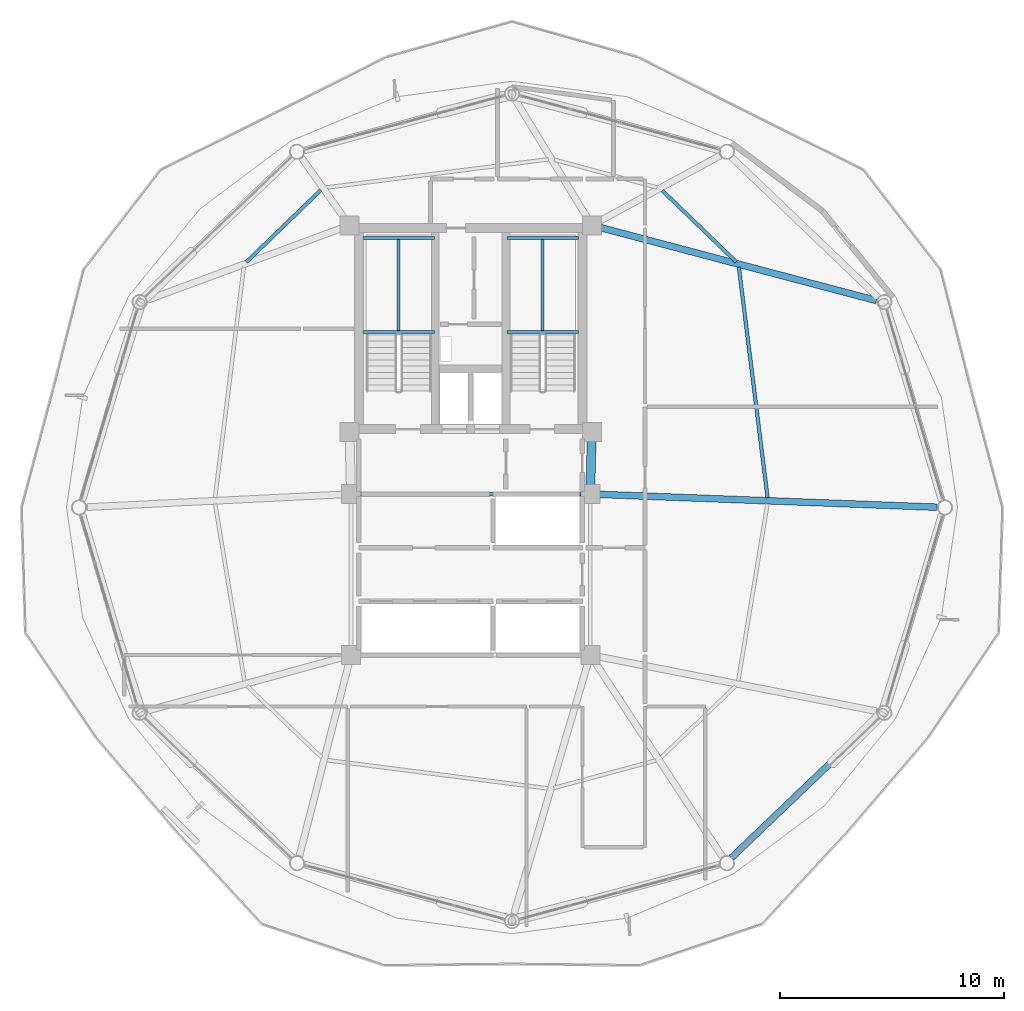
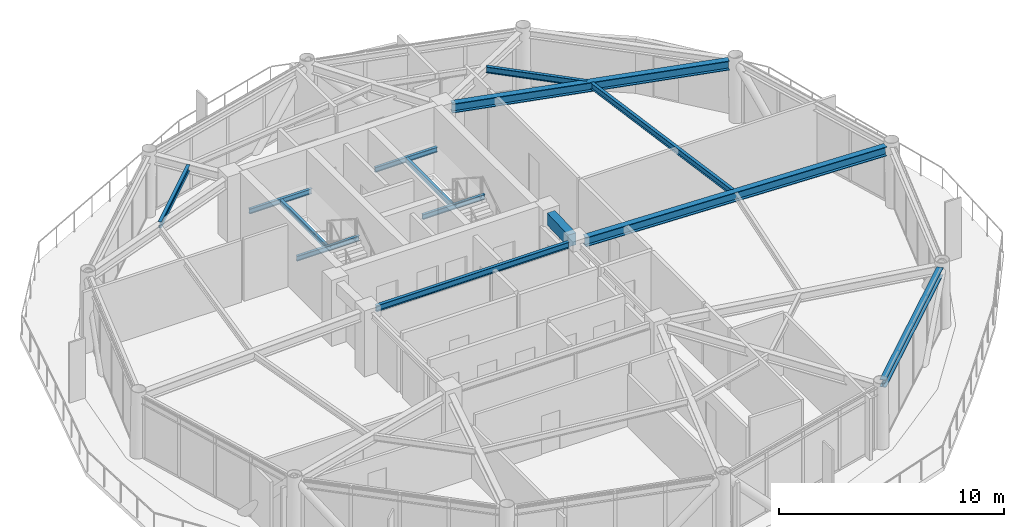
# One storey, part 15 of 28: 14 beams.
"""IFC4 building model written with IfcOpenShell, lengths in metres."""

from ifc_helpers import new_model, si_unit, direction, frame, origin, origin_2d, place, context, subcontext, project, spatial, rectangle, i_section, extrude, material, material_profile, profile_set, type_object, element, save


model = new_model("IFC4")

# Units and contexts
model_context = context("Model", 3, precision=1e-05, world=origin(), true_north=direction((0.0, 1.0)))
body_context = subcontext(model_context, "Body", "Model", "MODEL_VIEW")
ifc_project = project(units=[si_unit("LENGTHUNIT", "METRE"), si_unit("AREAUNIT", "SQUARE_METRE"), si_unit("VOLUMEUNIT", "CUBIC_METRE"), si_unit("PLANEANGLEUNIT", "RADIAN"), si_unit("MASSUNIT", "GRAM", prefix="KILO")], contexts=[model_context])

# Site, building, storey
site_placement = place(None, origin())
site = spatial("IfcSite", under=ifc_project, at=site_placement, CompositionType="ELEMENT")
building_placement = place(site_placement, origin())
building = spatial("IfcBuilding", under=site, at=building_placement, Name="Varnakorn Sky Granary", CompositionType="ELEMENT")
storey_placement = place(building_placement, frame((0.0, 0.0, 200.39990234375)))
storey = spatial("IfcBuildingStorey", under=building, at=storey_placement, Name="L50", CompositionType="ELEMENT", Elevation=200.39990234375)

# Beams
ifc_material_1 = material(Name="Concrete C50/60", Category="concrete")
ifc_material_profile_1 = material_profile(ifc_material_1, rectangle(XDim=0.39990234375, YDim=0.64990234375, at=origin_2d()), Name="RC 400x650")
ifc_profile_set_1 = profile_set([ifc_material_profile_1], Name="Concrete C50/60")
beam_type_1 = type_object("IfcBeamType", Name="BM-LIN-650", PredefinedType="LINTEL", material=ifc_profile_set_1)
beam_1_placement = place(storey_placement, frame((8.409912109375, 2.97509765625, 3.03515625), z_axis=(-0.025270737467, -0.99968064392, 0.0), x_axis=(0.99968064392, -0.025270737467, 0.0)))
element("IfcBeam", 1, at=beam_1_placement, inside=storey, type_object=beam_type_1, Name="Core Spine Framing Beam 2 L50", PredefinedType="LINTEL", context=body_context, shape_type="SweptSolid", body=[
    extrude(rectangle(XDim=0.39990234375, YDim=0.64990234375, at=origin_2d()), origin(), (0.0, 0.0, 1.0), 1.970947265625),
])
ifc_material_2 = material(Name="Steel S355JR", Category="steel")
ifc_material_profile_2 = material_profile(ifc_material_2, i_section(OverallWidth=0.135009765625, OverallDepth=0.27001953125, WebThickness=0.006591796875, FlangeThickness=0.01025390625, at=origin_2d()), Name="IPE 270")
ifc_profile_set_2 = profile_set([ifc_material_profile_2], Name="Steel S355JR")
beam_type_2 = type_object("IfcBeamType", Name="BM-LND-270", PredefinedType="BEAM", material=ifc_profile_set_2)
for number, where, z_axis, x_axis, name in (
    (2, (-1.820068359375, 7.840087890625, 1.465087890625), (1.0, 0.0, 0.0), (0.0, 1.0, 0.0), "Stair ST-1 Landing Trimmer Beam A L50-1"),
    (3, (-1.820068359375, 12.06005859375, 1.465087890625), (1.0, 0.0, 0.0), (0.0, 1.0, 0.0), "Stair ST-1 Landing Trimmer Beam B L50-1"),
):
    element("IfcBeam", number, at=place(storey_placement, frame(where, z_axis=z_axis, x_axis=x_axis)), inside=storey, type_object=beam_type_2, Name=name, PredefinedType="BEAM", context=body_context, shape_type="SweptSolid", body=[
        extrude(i_section(OverallWidth=0.135009765625, OverallDepth=0.27001953125, WebThickness=0.006591796875, FlangeThickness=0.01025390625, at=origin_2d()), origin(), (0.0, 0.0, 1.0), 3.199951171875),
    ])
beam_2_placement = place(storey_placement, frame((-0.219970703125, 7.840087890625, 1.465087890625), z_axis=(0.0, 1.0, 0.0), x_axis=(-1.0, 0.0, 0.0)))
element("IfcBeam", 4, at=beam_2_placement, inside=storey, type_object=beam_type_2, Name="Stair ST-1 Landing Cross Beam C L50-1", PredefinedType="BEAM", context=body_context, shape_type="SweptSolid", body=[
    extrude(i_section(OverallWidth=0.135009765625, OverallDepth=0.27001953125, WebThickness=0.006591796875, FlangeThickness=0.01025390625, at=origin_2d()), origin(), (0.0, 0.0, 1.0), 4.219970703125),
])
for number, where, z_axis, x_axis, name in (
    (5, (4.6201171875, 7.840087890625, 1.465087890625), (1.0, 0.0, 0.0), (0.0, 1.0, 0.0), "Stair ST-2 Landing Trimmer Beam A L50-1"),
    (6, (4.6201171875, 12.06005859375, 1.465087890625), (1.0, 0.0, 0.0), (0.0, 1.0, 0.0), "Stair ST-2 Landing Trimmer Beam B L50-1"),
):
    element("IfcBeam", number, at=place(storey_placement, frame(where, z_axis=z_axis, x_axis=x_axis)), inside=storey, type_object=beam_type_2, Name=name, PredefinedType="BEAM", context=body_context, shape_type="SweptSolid", body=[
        extrude(i_section(OverallWidth=0.135009765625, OverallDepth=0.27001953125, WebThickness=0.006591796875, FlangeThickness=0.01025390625, at=origin_2d()), origin(), (0.0, 0.0, 1.0), 3.199951171875),
    ])
beam_3_placement = place(storey_placement, frame((6.219970703125, 7.840087890625, 1.465087890625), z_axis=(0.0, 1.0, 0.0), x_axis=(-1.0, 0.0, 0.0)))
element("IfcBeam", 7, at=beam_3_placement, inside=storey, type_object=beam_type_2, Name="Stair ST-2 Landing Cross Beam C L50-1", PredefinedType="BEAM", context=body_context, shape_type="SweptSolid", body=[
    extrude(i_section(OverallWidth=0.135009765625, OverallDepth=0.27001953125, WebThickness=0.006591796875, FlangeThickness=0.01025390625, at=origin_2d()), origin(), (0.0, 0.0, 1.0), 4.219970703125),
])
ifc_material_profile_3 = material_profile(ifc_material_2, i_section(OverallWidth=0.300048828125, OverallDepth=0.5, WebThickness=0.014404296875, FlangeThickness=0.028076171875, at=origin_2d()), Name="HE 500 B")
ifc_profile_set_3 = profile_set([ifc_material_profile_3], Name="Steel S355JR")
beam_type_3 = type_object("IfcBeamType", Name="BM-RAD-Z4", PredefinedType="BEAM", material=ifc_profile_set_3)
beam_4_placement = place(storey_placement, frame((8.754638671875, 0.584716796875, 3.110107421875), z_axis=(0.999280322572, -0.037932003896, 0.0), x_axis=(0.037932003896, 0.999280322572, 0.0)))
element("IfcBeam", 8, at=beam_4_placement, inside=storey, type_object=beam_type_3, Name="Radial Floor Girder RG01 L50", PredefinedType="BEAM", context=body_context, shape_type="SweptSolid", body=[
    extrude(i_section(OverallWidth=0.300048828125, OverallDepth=0.5, WebThickness=0.014404296875, FlangeThickness=0.028076171875, at=origin_2d()), origin(), (0.0, 0.0, 1.0), 15.099609375),
])
beam_5_placement = place(storey_placement, frame((8.8115234375, 12.516357421875, 3.110107421875), z_axis=(0.96675114091, -0.255719048076, 0.0), x_axis=(0.255719048076, 0.96675114091, 0.0)))
element("IfcBeam", 9, at=beam_5_placement, inside=storey, type_object=beam_type_3, Name="Radial Floor Girder RG02 L50", PredefinedType="BEAM", context=body_context, shape_type="SweptSolid", body=[
    extrude(i_section(OverallWidth=0.300048828125, OverallDepth=0.5, WebThickness=0.014404296875, FlangeThickness=0.028076171875, at=origin_2d()), origin(), (0.0, 0.0, 1.0), 12.7626953125),
])
ifc_material_profile_4 = material_profile(ifc_material_2, i_section(OverallWidth=0.159912109375, OverallDepth=0.330078125, WebThickness=0.007568359375, FlangeThickness=0.011474609375, at=origin_2d()), Name="IPE 330")
ifc_profile_set_4 = profile_set([ifc_material_profile_4], Name="Steel S355JR")
beam_type_4 = type_object("IfcBeamType", Name="BM-SEC-Z4", PredefinedType="BEAM", material=ifc_profile_set_4)
beam_6_placement = place(storey_placement, frame((16.281494140625, 0.437255859375, 3.195068359375), z_axis=(-0.123551656975, 0.992338141995, 0.0), x_axis=(-0.992338141995, -0.123551656975, 0.0)))
element("IfcBeam", 10, at=beam_6_placement, inside=storey, type_object=beam_type_4, Name="Secondary Floor Chord Beam MSB01 L50", PredefinedType="BEAM", context=body_context, shape_type="SweptSolid", body=[
    extrude(i_section(OverallWidth=0.159912109375, OverallDepth=0.330078125, WebThickness=0.007568359375, FlangeThickness=0.011474609375, at=origin_2d()), origin(), (0.0, 0.0, 1.0), 10.387939453125),
])
beam_7_placement = place(storey_placement, frame((14.8798828125, 10.981689453125, 3.195068359375), z_axis=(-0.719542220963, 0.694448696631, 0.0), x_axis=(-0.694448696631, -0.719542220963, 0.0)))
element("IfcBeam", 11, at=beam_7_placement, inside=storey, type_object=beam_type_4, Name="Secondary Floor Chord Beam MSB02 L50", PredefinedType="BEAM", context=body_context, shape_type="SweptSolid", body=[
    extrude(i_section(OverallWidth=0.159912109375, OverallDepth=0.330078125, WebThickness=0.007568359375, FlangeThickness=0.011474609375, at=origin_2d()), origin(), (0.0, 0.0, 1.0), 4.601806640625),
])
beam_8_placement = place(storey_placement, frame((-3.704833984375, 14.192626953125, 3.195068359375), z_axis=(-0.718808071514, -0.695208570378, 0.0), x_axis=(0.695208570378, -0.718808071514, 0.0)))
element("IfcBeam", 12, at=beam_8_placement, inside=storey, type_object=beam_type_4, Name="Secondary Floor Chord Beam MSB05 L50", PredefinedType="BEAM", context=body_context, shape_type="SweptSolid", body=[
    extrude(i_section(OverallWidth=0.159912109375, OverallDepth=0.330078125, WebThickness=0.007568359375, FlangeThickness=0.011474609375, at=origin_2d()), origin(), (0.0, 0.0, 1.0), 4.624267578125),
])
beam_9_placement = place(storey_placement, frame((-1.945068359375, 0.60009765625, 3.195068359375), z_axis=(1.0, 0.0, 0.0), x_axis=(0.0, 1.0, 0.0)))
element("IfcBeam", 13, at=beam_9_placement, inside=storey, type_object=beam_type_4, Name="Core Spine Framing Beam 5 L50", PredefinedType="BEAM", context=body_context, shape_type="SweptSolid", body=[
    extrude(i_section(OverallWidth=0.159912109375, OverallDepth=0.330078125, WebThickness=0.007568359375, FlangeThickness=0.011474609375, at=origin_2d()), origin(), (0.0, 0.0, 1.0), 9.89013671875),
])
ifc_material_profile_5 = material_profile(ifc_material_2, i_section(OverallWidth=0.300048828125, OverallDepth=0.39990234375, WebThickness=0.013427734375, FlangeThickness=0.02392578125, at=origin_2d()), Name="HE 400 B")
ifc_profile_set_5 = profile_set([ifc_material_profile_5], Name="Steel S355JR")
beam_type_5 = type_object("IfcBeamType", Name="BM-SPD-Z4", PredefinedType="SPANDREL", material=ifc_profile_set_5)
beam_10_placement = place(storey_placement, frame((14.6640625, -15.668701171875, 3.16015625), z_axis=(0.722564794513, 0.691303202459, 0.0), x_axis=(-0.691303202459, 0.722564794513, 0.0)))
element("IfcBeam", 14, at=beam_10_placement, inside=storey, type_object=beam_type_5, Name="Perimeter Spandrel Ring Beam RB11 L50", PredefinedType="SPANDREL", context=body_context, shape_type="SweptSolid", body=[
    extrude(i_section(OverallWidth=0.300048828125, OverallDepth=0.39990234375, WebThickness=0.013427734375, FlangeThickness=0.02392578125, at=origin_2d()), origin(), (0.0, 0.0, 1.0), 9.08251953125),
])

save(model, "model.ifc")
